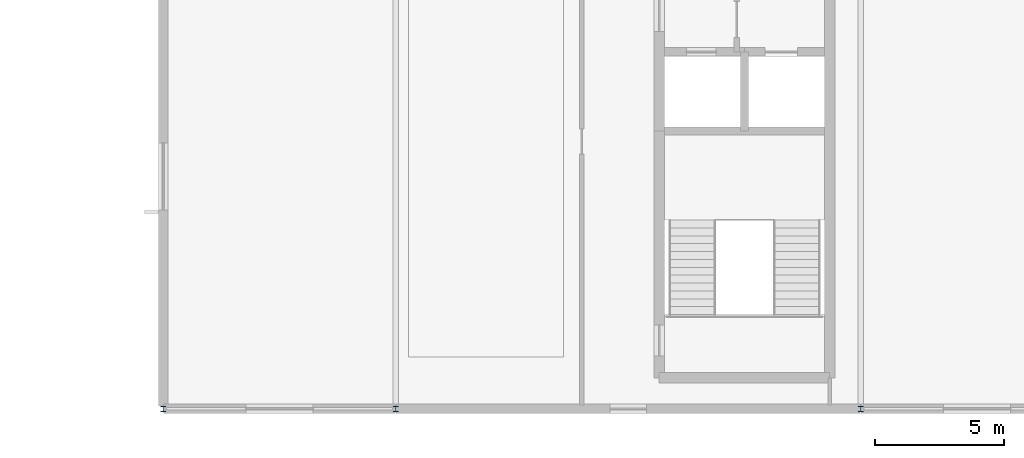
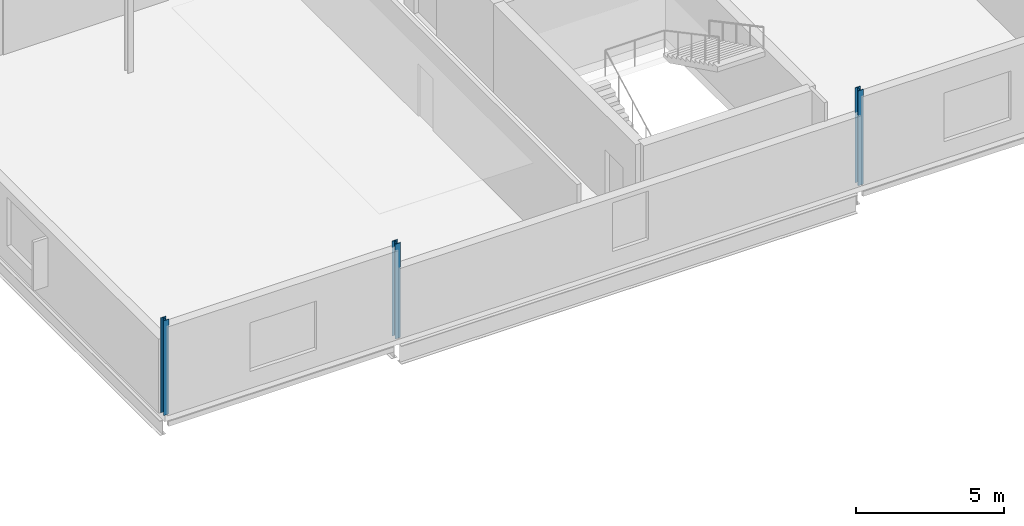
# One storey, part 9 of 35: 3 columns.
"""IFC4 building model written with IfcOpenShell, lengths in metres."""

from ifc_helpers import new_model, si_unit, direction, frame, origin, origin_2d, place, context, subcontext, project, spatial, i_section, extrude, material, material_profile, profile_set, type_object, element, save


model = new_model("IFC4")

# Units and contexts
model_context = context("Model", 3, precision=1e-05, world=origin(), true_north=direction((0.0, 1.0)))
body_context = subcontext(model_context, "Body", "Model", "MODEL_VIEW")
ifc_project = project(units=[si_unit("LENGTHUNIT", "METRE"), si_unit("AREAUNIT", "SQUARE_METRE"), si_unit("VOLUMEUNIT", "CUBIC_METRE"), si_unit("PLANEANGLEUNIT", "RADIAN"), si_unit("MASSUNIT", "GRAM", prefix="KILO")], contexts=[model_context])

# Site, building, storey
site_placement = place(None, origin())
site = spatial("IfcSite", under=ifc_project, at=site_placement, CompositionType="ELEMENT")
building_placement = place(site_placement, origin())
building = spatial("IfcBuilding", under=site, at=building_placement, Name="Kisiwana Market Hall", CompositionType="ELEMENT")
storey_placement = place(building_placement, frame((0.0, 0.0, 57.89990234375)))
storey = spatial("IfcBuildingStorey", under=building, at=storey_placement, Name="L13", CompositionType="ELEMENT", Elevation=57.89990234375)

# Columns
ifc_material_1 = material(Name="Steel S355", Category="steel")
ifc_material_profile_1 = material_profile(ifc_material_1, i_section(OverallWidth=0.205810546875, OverallDepth=0.209716796875, WebThickness=0.009521484375, FlangeThickness=0.01416015625, FilletRadius=0.01025390625, at=origin_2d()), Name="UC 203x203x60")
ifc_profile_set_1 = profile_set([ifc_material_profile_1], Name="Steel S355")
column_type_1 = type_object("IfcColumnType", Name="COL-STL-UC060", PredefinedType="COLUMN", material=ifc_profile_set_1)
column_placement = place(storey_placement, frame((162.0, 18.0, 0.0), z_axis=(0.0, 0.0, 1.0), x_axis=(1.0, 0.0, 0.0)))
element("IfcColumn", 1, at=column_placement, inside=storey, type_object=column_type_1, Name="Column C/19 (L13) C-1420", PredefinedType="COLUMN", context=body_context, shape_type="SweptSolid", body=[
    extrude(i_section(OverallWidth=0.205810546875, OverallDepth=0.209716796875, WebThickness=0.009521484375, FlangeThickness=0.01416015625, FilletRadius=0.01025390625, at=origin_2d()), origin(), (0.0, 0.0, 1.0), 3.900146484375),
])
ifc_material_2 = material(Name="Steel S355", Category="steel")
ifc_material_profile_2 = material_profile(ifc_material_2, i_section(OverallWidth=0.208984375, OverallDepth=0.22216796875, WebThickness=0.0126953125, FlangeThickness=0.0205078125, FilletRadius=0.01025390625, at=origin_2d()), Name="UC 203x203x86")
ifc_profile_set_2 = profile_set([ifc_material_profile_2], Name="Steel S355")
column_type_2 = type_object("IfcColumnType", Name="COL-STL-UC086", PredefinedType="COLUMN", material=ifc_profile_set_2)
for number, where, z_axis, x_axis, name in (
    (2, (171.0, 18.0, 0.0), (0.0, 0.0, 1.0), (1.0, 0.0, 0.0), "Column C/20 (L13) C-1424"),
    (3, (189.0, 18.0, 0.0), (0.0, 0.0, 1.0), (1.0, 0.0, 0.0), "Column C/22 (L13) C-1429"),
):
    element("IfcColumn", number, at=place(storey_placement, frame(where, z_axis=z_axis, x_axis=x_axis)), inside=storey, type_object=column_type_2, Name=name, PredefinedType="COLUMN", context=body_context, shape_type="SweptSolid", body=[
        extrude(i_section(OverallWidth=0.208984375, OverallDepth=0.22216796875, WebThickness=0.0126953125, FlangeThickness=0.0205078125, FilletRadius=0.01025390625, at=origin_2d()), origin(), (0.0, 0.0, 1.0), 3.900146484375),
    ])

save(model, "model.ifc")
